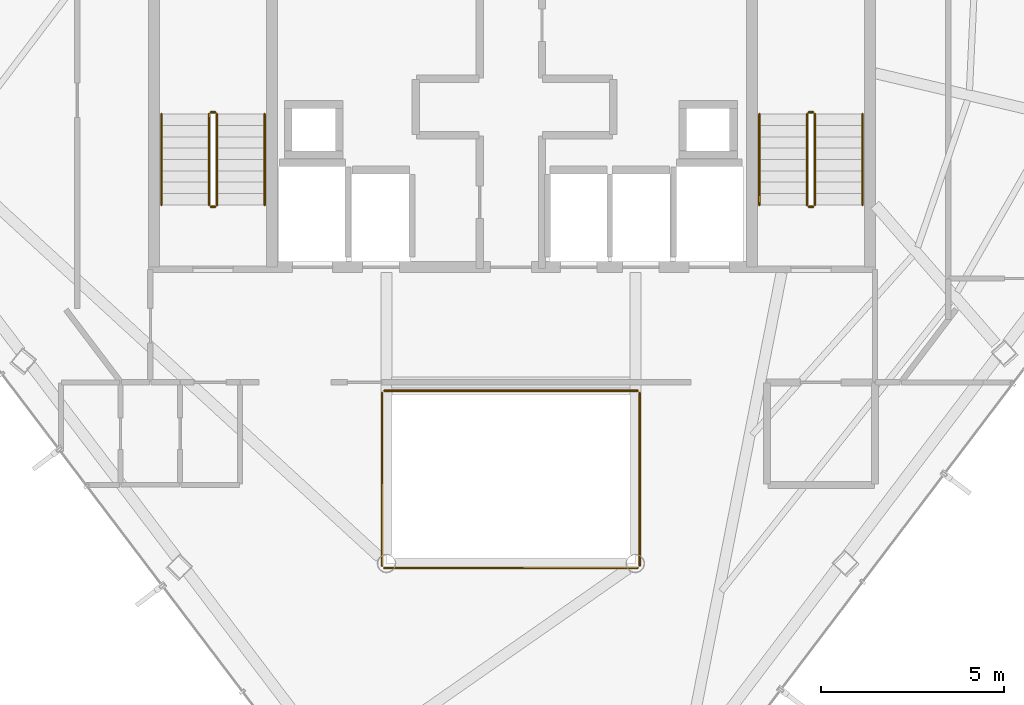
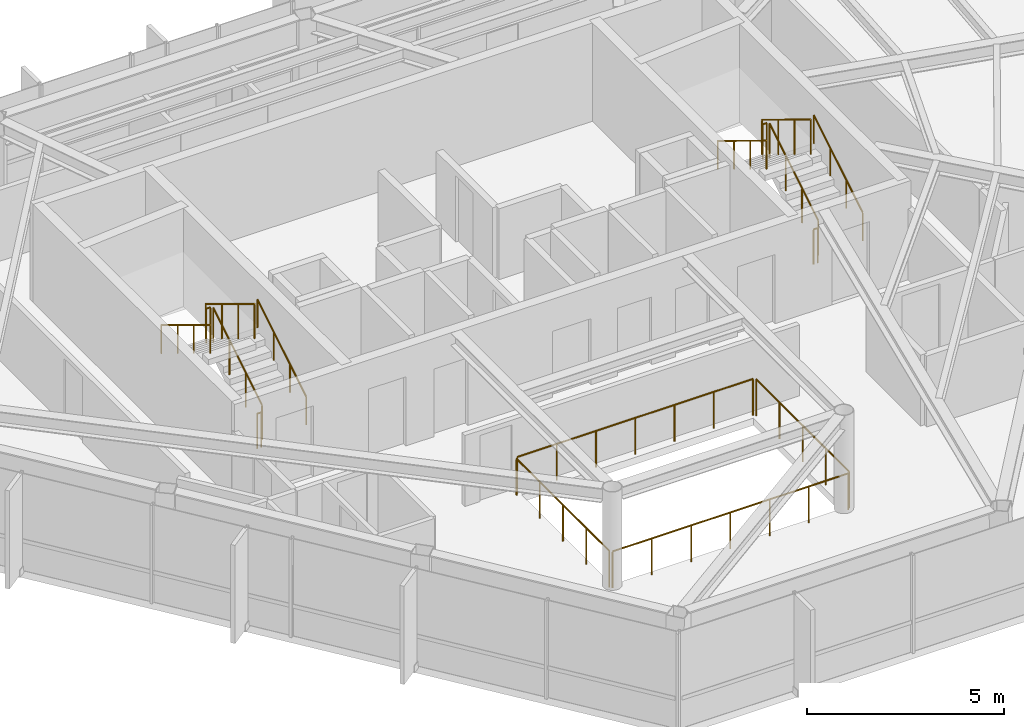
# One storey, part 24 of 24: 16 railings.
"""IFC4 building model written with IfcOpenShell, lengths in metres."""

from ifc_helpers import new_model, si_unit, direction, frame, origin, origin_2d, place, context, subcontext, project, spatial, circle, extrude, material, type_object, element, save


model = new_model("IFC4")

# Units and contexts
model_context = context("Model", 3, precision=1e-05, world=origin(), true_north=direction((0.0, 1.0)))
body_context = subcontext(model_context, "Body", "Model", "MODEL_VIEW")
ifc_project = project(units=[si_unit("LENGTHUNIT", "METRE"), si_unit("AREAUNIT", "SQUARE_METRE"), si_unit("VOLUMEUNIT", "CUBIC_METRE"), si_unit("PLANEANGLEUNIT", "RADIAN"), si_unit("MASSUNIT", "GRAM", prefix="KILO")], contexts=[model_context])

# Site, building, storey
site_placement = place(None, origin())
site = spatial("IfcSite", under=ifc_project, at=site_placement, CompositionType="ELEMENT")
building_placement = place(site_placement, origin())
building = spatial("IfcBuilding", under=site, at=building_placement, Name="Zarrinselat Tower", CompositionType="ELEMENT")
storey_placement = place(building_placement, frame((0.0, 0.0, 249.56005859375)))
storey = spatial("IfcBuildingStorey", under=building, at=storey_placement, Name="L63", CompositionType="ELEMENT", Elevation=249.56005859375)

# Railings
ifc_material_1 = material(Name="Double Low-E Laminated Solar Glass", Category="glass")
railing_type_1 = type_object("IfcRailingType", Name="RLG-ATRIUM-BAL", PredefinedType="BALUSTRADE", material=ifc_material_1)
railing_1_placement = place(storey_placement, frame((34.93994140625, 25.080078125, 0.0)))
element("IfcRailing", 1, at=railing_1_placement, inside=storey, type_object=railing_type_1, Name="L63 Atrium Void Glass Balustrade S", PredefinedType="BALUSTRADE", context=body_context, shape_type="SweptSolid", body=[
    extrude(circle(Radius=0.02392578125, at=origin_2d()), frame((0.0, 0.0, 1.1259765625), z_axis=(1.0, 0.0, 0.0), x_axis=(0.0, 1.0, 0.0)), (0.0, 0.0, 1.0), 6.920166015625),
    extrude(circle(Radius=0.02099609375, at=origin_2d()), origin(), (0.0, 0.0, 1.0), 1.099853515625),
    extrude(circle(Radius=0.02099609375, at=origin_2d()), frame((1.1533203125, 0.0, 0.0)), (0.0, 0.0, 1.0), 1.099853515625),
    extrude(circle(Radius=0.02099609375, at=origin_2d()), frame((2.306640625, 0.0, 0.0)), (0.0, 0.0, 1.0), 1.099853515625),
    extrude(circle(Radius=0.02099609375, at=origin_2d()), frame((3.4599609375, 0.0, 0.0)), (0.0, 0.0, 1.0), 1.099853515625),
    extrude(circle(Radius=0.02099609375, at=origin_2d()), frame((4.613525390625, 0.0, 0.0)), (0.0, 0.0, 1.0), 1.099853515625),
    extrude(circle(Radius=0.02099609375, at=origin_2d()), frame((5.766845703125, 0.0, 0.0)), (0.0, 0.0, 1.0), 1.099853515625),
    extrude(circle(Radius=0.02099609375, at=origin_2d()), frame((6.920166015625, 0.0, 0.0)), (0.0, 0.0, 1.0), 1.099853515625),
])
railing_2_placement = place(storey_placement, frame((41.919921875, 25.139892578125, 0.0)))
element("IfcRailing", 2, at=railing_2_placement, inside=storey, type_object=railing_type_1, Name="L63 Atrium Void Glass Balustrade E", PredefinedType="BALUSTRADE", context=body_context, shape_type="SweptSolid", body=[
    extrude(circle(Radius=0.02392578125, at=origin_2d()), frame((0.0, 0.0, 1.1259765625), z_axis=(0.0, 1.0, 0.0), x_axis=(-1.0, 0.0, 0.0)), (0.0, 0.0, 1.0), 4.72021484375),
    extrude(circle(Radius=0.02099609375, at=origin_2d()), origin(), (0.0, 0.0, 1.0), 1.099853515625),
    extrude(circle(Radius=0.02099609375, at=origin_2d()), frame((0.0, 1.18017578125, 0.0)), (0.0, 0.0, 1.0), 1.099853515625),
    extrude(circle(Radius=0.02099609375, at=origin_2d()), frame((0.0, 2.360107421875, 0.0)), (0.0, 0.0, 1.0), 1.099853515625),
    extrude(circle(Radius=0.02099609375, at=origin_2d()), frame((0.0, 3.5400390625, 0.0)), (0.0, 0.0, 1.0), 1.099853515625),
    extrude(circle(Radius=0.02099609375, at=origin_2d()), frame((0.0, 4.72021484375, 0.0)), (0.0, 0.0, 1.0), 1.099853515625),
])
railing_3_placement = place(storey_placement, frame((41.860107421875, 29.919921875, 0.0)))
element("IfcRailing", 3, at=railing_3_placement, inside=storey, type_object=railing_type_1, Name="L63 Atrium Void Glass Balustrade N", PredefinedType="BALUSTRADE", context=body_context, shape_type="SweptSolid", body=[
    extrude(circle(Radius=0.02392578125, at=origin_2d()), frame((0.0, 0.0, 1.1259765625), z_axis=(-1.0, 0.0, 0.0), x_axis=(0.0, -1.0, 0.0)), (0.0, 0.0, 1.0), 6.920166015625),
    extrude(circle(Radius=0.02099609375, at=origin_2d()), origin(), (0.0, 0.0, 1.0), 1.099853515625),
    extrude(circle(Radius=0.02099609375, at=origin_2d()), frame((-1.1533203125, 0.0, 0.0)), (0.0, 0.0, 1.0), 1.099853515625),
    extrude(circle(Radius=0.02099609375, at=origin_2d()), frame((-2.306640625, 0.0, 0.0)), (0.0, 0.0, 1.0), 1.099853515625),
    extrude(circle(Radius=0.02099609375, at=origin_2d()), frame((-3.4599609375, 0.0, 0.0)), (0.0, 0.0, 1.0), 1.099853515625),
    extrude(circle(Radius=0.02099609375, at=origin_2d()), frame((-4.613525390625, 0.0, 0.0)), (0.0, 0.0, 1.0), 1.099853515625),
    extrude(circle(Radius=0.02099609375, at=origin_2d()), frame((-5.766845703125, 0.0, 0.0)), (0.0, 0.0, 1.0), 1.099853515625),
    extrude(circle(Radius=0.02099609375, at=origin_2d()), frame((-6.920166015625, 0.0, 0.0)), (0.0, 0.0, 1.0), 1.099853515625),
])
railing_4_placement = place(storey_placement, frame((34.8798828125, 29.860107421875, 0.0)))
element("IfcRailing", 4, at=railing_4_placement, inside=storey, type_object=railing_type_1, Name="L63 Atrium Void Glass Balustrade W", PredefinedType="BALUSTRADE", context=body_context, shape_type="SweptSolid", body=[
    extrude(circle(Radius=0.02392578125, at=origin_2d()), frame((0.0, 0.0, 1.1259765625), z_axis=(0.0, -1.0, 0.0), x_axis=(1.0, 0.0, 0.0)), (0.0, 0.0, 1.0), 4.72021484375),
    extrude(circle(Radius=0.02099609375, at=origin_2d()), origin(), (0.0, 0.0, 1.0), 1.099853515625),
    extrude(circle(Radius=0.02099609375, at=origin_2d()), frame((0.0, -1.18017578125, 0.0)), (0.0, 0.0, 1.0), 1.099853515625),
    extrude(circle(Radius=0.02099609375, at=origin_2d()), frame((0.0, -2.360107421875, 0.0)), (0.0, 0.0, 1.0), 1.099853515625),
    extrude(circle(Radius=0.02099609375, at=origin_2d()), frame((0.0, -3.5400390625, 0.0)), (0.0, 0.0, 1.0), 1.099853515625),
    extrude(circle(Radius=0.02099609375, at=origin_2d()), frame((0.0, -4.72021484375, 0.0)), (0.0, 0.0, 1.0), 1.099853515625),
])
ifc_material_2 = material(Name="Steel S355J2", Category="steel")
railing_type_2 = type_object("IfcRailingType", Name="RLG-STAIR-GUARD", PredefinedType="GUARDRAIL", material=ifc_material_2)
railing_5_placement = place(storey_placement, frame((30.3701171875, 35.0, 0.188720703125)))
element("IfcRailing", 5, at=railing_5_placement, inside=storey, type_object=railing_type_2, Name="L63 ST-1 stair guard 1", PredefinedType="GUARDRAIL", context=body_context, shape_type="SweptSolid", body=[
    extrude(circle(Radius=0.02392578125, at=origin_2d()), frame((0.0, 0.0, 1.076171875), z_axis=(0.0, 0.853941963558, 0.520368256982), x_axis=(-1.0, 0.0, 0.0)), (0.0, 0.0, 1.0), 2.904052734375),
    extrude(circle(Radius=0.02099609375, at=origin_2d()), origin(), (0.0, 0.0, 1.0), 1.050048828125),
    extrude(circle(Radius=0.02099609375, at=origin_2d()), frame((0.0, 0.82666015625, 0.503662109375)), (0.0, 0.0, 1.0), 1.050048828125),
    extrude(circle(Radius=0.02099609375, at=origin_2d()), frame((0.0, 1.6533203125, 1.007568359375)), (0.0, 0.0, 1.0), 1.050048828125),
    extrude(circle(Radius=0.02099609375, at=origin_2d()), frame((0.0, 2.47998046875, 1.51123046875)), (0.0, 0.0, 1.0), 1.050048828125),
])
railing_6_placement = place(storey_placement, frame((30.320068359375, 37.530029296875, 1.699951171875)))
element("IfcRailing", 6, at=railing_6_placement, inside=storey, type_object=railing_type_2, Name="L63 ST-1 stair guard 2", PredefinedType="GUARDRAIL", context=body_context, shape_type="SweptSolid", body=[
    extrude(circle(Radius=0.02392578125, at=origin_2d()), frame((0.0, 0.0, 1.076171875), z_axis=(-1.0, 0.0, 0.0), x_axis=(0.0, -1.0, 0.0)), (0.0, 0.0, 1.0), 0.1201171875),
    extrude(circle(Radius=0.02099609375, at=origin_2d()), origin(), (0.0, 0.0, 1.0), 1.050048828125),
    extrude(circle(Radius=0.02099609375, at=origin_2d()), frame((-0.1201171875, 0.0, 0.0)), (0.0, 0.0, 1.0), 1.050048828125),
])
railing_7_placement = place(storey_placement, frame((30.14990234375, 37.47998046875, 1.888916015625)))
element("IfcRailing", 7, at=railing_7_placement, inside=storey, type_object=railing_type_2, Name="L63 ST-1 stair guard 3", PredefinedType="GUARDRAIL", context=body_context, shape_type="SweptSolid", body=[
    extrude(circle(Radius=0.02392578125, at=origin_2d()), frame((0.0, 0.0, 1.076171875), z_axis=(0.0, -0.8539793189, 0.520306950647), x_axis=(1.0, 0.0, 0.0)), (0.0, 0.0, 1.0), 2.904052734375),
    extrude(circle(Radius=0.02099609375, at=origin_2d()), origin(), (0.0, 0.0, 1.0), 1.050048828125),
    extrude(circle(Radius=0.02099609375, at=origin_2d()), frame((0.0, -0.82666015625, 0.503662109375)), (0.0, 0.0, 1.0), 1.050048828125),
    extrude(circle(Radius=0.02099609375, at=origin_2d()), frame((0.0, -1.6533203125, 1.00732421875)), (0.0, 0.0, 1.0), 1.050048828125),
    extrude(circle(Radius=0.02099609375, at=origin_2d()), frame((0.0, -2.47998046875, 1.510986328125)), (0.0, 0.0, 1.0), 1.050048828125),
])
railing_8_placement = place(storey_placement, frame((30.320068359375, 34.949951171875, 0.0)))
element("IfcRailing", 8, at=railing_8_placement, inside=storey, type_object=railing_type_2, Name="L63 ST-1 stair guard 4", PredefinedType="GUARDRAIL", context=body_context, shape_type="SweptSolid", body=[
    extrude(circle(Radius=0.02392578125, at=origin_2d()), frame((0.0, 0.0, 1.076171875), z_axis=(-1.0, 0.0, 0.0), x_axis=(0.0, -1.0, 0.0)), (0.0, 0.0, 1.0), 0.1201171875),
    extrude(circle(Radius=0.02099609375, at=origin_2d()), origin(), (0.0, 0.0, 1.0), 1.050048828125),
    extrude(circle(Radius=0.02099609375, at=origin_2d()), frame((-0.1201171875, 0.0, 0.0)), (0.0, 0.0, 1.0), 1.050048828125),
])
railing_9_placement = place(storey_placement, frame((46.7099609375, 35.0, 0.188720703125)))
element("IfcRailing", 9, at=railing_9_placement, inside=storey, type_object=railing_type_2, Name="L63 ST-2 stair guard 1", PredefinedType="GUARDRAIL", context=body_context, shape_type="SweptSolid", body=[
    extrude(circle(Radius=0.02392578125, at=origin_2d()), frame((0.0, 0.0, 1.076171875), z_axis=(0.0, 0.853941963558, 0.520368256982), x_axis=(-1.0, 0.0, 0.0)), (0.0, 0.0, 1.0), 2.904052734375),
    extrude(circle(Radius=0.02099609375, at=origin_2d()), origin(), (0.0, 0.0, 1.0), 1.050048828125),
    extrude(circle(Radius=0.02099609375, at=origin_2d()), frame((0.0, 0.82666015625, 0.503662109375)), (0.0, 0.0, 1.0), 1.050048828125),
    extrude(circle(Radius=0.02099609375, at=origin_2d()), frame((0.0, 1.6533203125, 1.007568359375)), (0.0, 0.0, 1.0), 1.050048828125),
    extrude(circle(Radius=0.02099609375, at=origin_2d()), frame((0.0, 2.47998046875, 1.51123046875)), (0.0, 0.0, 1.0), 1.050048828125),
])
railing_10_placement = place(storey_placement, frame((46.659912109375, 37.530029296875, 1.699951171875)))
element("IfcRailing", 10, at=railing_10_placement, inside=storey, type_object=railing_type_2, Name="L63 ST-2 stair guard 2", PredefinedType="GUARDRAIL", context=body_context, shape_type="SweptSolid", body=[
    extrude(circle(Radius=0.02392578125, at=origin_2d()), frame((0.0, 0.0, 1.076171875), z_axis=(-1.0, 0.0, 0.0), x_axis=(0.0, -1.0, 0.0)), (0.0, 0.0, 1.0), 0.119873046875),
    extrude(circle(Radius=0.02099609375, at=origin_2d()), origin(), (0.0, 0.0, 1.0), 1.050048828125),
    extrude(circle(Radius=0.02099609375, at=origin_2d()), frame((-0.119873046875, 0.0, 0.0)), (0.0, 0.0, 1.0), 1.050048828125),
])
railing_11_placement = place(storey_placement, frame((46.489990234375, 37.47998046875, 1.888916015625)))
element("IfcRailing", 11, at=railing_11_placement, inside=storey, type_object=railing_type_2, Name="L63 ST-2 stair guard 3", PredefinedType="GUARDRAIL", context=body_context, shape_type="SweptSolid", body=[
    extrude(circle(Radius=0.02392578125, at=origin_2d()), frame((0.0, 0.0, 1.076171875), z_axis=(0.0, -0.8539793189, 0.520306950647), x_axis=(1.0, 0.0, 0.0)), (0.0, 0.0, 1.0), 2.904052734375),
    extrude(circle(Radius=0.02099609375, at=origin_2d()), origin(), (0.0, 0.0, 1.0), 1.050048828125),
    extrude(circle(Radius=0.02099609375, at=origin_2d()), frame((0.0, -0.82666015625, 0.503662109375)), (0.0, 0.0, 1.0), 1.050048828125),
    extrude(circle(Radius=0.02099609375, at=origin_2d()), frame((0.0, -1.6533203125, 1.00732421875)), (0.0, 0.0, 1.0), 1.050048828125),
    extrude(circle(Radius=0.02099609375, at=origin_2d()), frame((0.0, -2.47998046875, 1.510986328125)), (0.0, 0.0, 1.0), 1.050048828125),
])
railing_12_placement = place(storey_placement, frame((46.659912109375, 34.949951171875, 0.0)))
element("IfcRailing", 12, at=railing_12_placement, inside=storey, type_object=railing_type_2, Name="L63 ST-2 stair guard 4", PredefinedType="GUARDRAIL", context=body_context, shape_type="SweptSolid", body=[
    extrude(circle(Radius=0.02392578125, at=origin_2d()), frame((0.0, 0.0, 1.076171875), z_axis=(-1.0, 0.0, 0.0), x_axis=(0.0, -1.0, 0.0)), (0.0, 0.0, 1.0), 0.119873046875),
    extrude(circle(Radius=0.02099609375, at=origin_2d()), origin(), (0.0, 0.0, 1.0), 1.050048828125),
    extrude(circle(Radius=0.02099609375, at=origin_2d()), frame((-0.119873046875, 0.0, 0.0)), (0.0, 0.0, 1.0), 1.050048828125),
])
ifc_material_3 = material(Name="Steel S355J2", Category="steel")
railing_type_3 = type_object("IfcRailingType", Name="RLG-STAIR-HAND", PredefinedType="HANDRAIL", material=ifc_material_3)
railing_13_placement = place(storey_placement, frame((31.669921875, 35.0, 0.188720703125)))
element("IfcRailing", 13, at=railing_13_placement, inside=storey, type_object=railing_type_3, Name="L63 ST-1 stair handrail 1", PredefinedType="HANDRAIL", context=body_context, shape_type="SweptSolid", body=[
    extrude(circle(Radius=0.02392578125, at=origin_2d()), frame((0.0, 0.0, 0.8759765625), z_axis=(0.0, 0.853941963558, 0.520368256982), x_axis=(-1.0, 0.0, 0.0)), (0.0, 0.0, 1.0), 2.904052734375),
    extrude(circle(Radius=0.02099609375, at=origin_2d()), origin(), (0.0, 0.0, 1.0), 0.849853515625),
    extrude(circle(Radius=0.02099609375, at=origin_2d()), frame((0.0, 0.82666015625, 0.503662109375)), (0.0, 0.0, 1.0), 0.849853515625),
    extrude(circle(Radius=0.02099609375, at=origin_2d()), frame((0.0, 1.6533203125, 1.007568359375)), (0.0, 0.0, 1.0), 0.849853515625),
    extrude(circle(Radius=0.02099609375, at=origin_2d()), frame((0.0, 2.47998046875, 1.51123046875)), (0.0, 0.0, 1.0), 0.849853515625),
])
railing_14_placement = place(storey_placement, frame((28.85009765625, 37.47998046875, 1.888916015625)))
element("IfcRailing", 14, at=railing_14_placement, inside=storey, type_object=railing_type_3, Name="L63 ST-1 stair handrail 2", PredefinedType="HANDRAIL", context=body_context, shape_type="SweptSolid", body=[
    extrude(circle(Radius=0.02392578125, at=origin_2d()), frame((0.0, 0.0, 0.8759765625), z_axis=(0.0, -0.8539793189, 0.520306950647), x_axis=(1.0, 0.0, 0.0)), (0.0, 0.0, 1.0), 2.904052734375),
    extrude(circle(Radius=0.02099609375, at=origin_2d()), origin(), (0.0, 0.0, 1.0), 0.849853515625),
    extrude(circle(Radius=0.02099609375, at=origin_2d()), frame((0.0, -0.82666015625, 0.503662109375)), (0.0, 0.0, 1.0), 0.849853515625),
    extrude(circle(Radius=0.02099609375, at=origin_2d()), frame((0.0, -1.6533203125, 1.00732421875)), (0.0, 0.0, 1.0), 0.849853515625),
    extrude(circle(Radius=0.02099609375, at=origin_2d()), frame((0.0, -2.47998046875, 1.510986328125)), (0.0, 0.0, 1.0), 0.849853515625),
])
railing_15_placement = place(storey_placement, frame((48.010009765625, 35.0, 0.188720703125)))
element("IfcRailing", 15, at=railing_15_placement, inside=storey, type_object=railing_type_3, Name="L63 ST-2 stair handrail 1", PredefinedType="HANDRAIL", context=body_context, shape_type="SweptSolid", body=[
    extrude(circle(Radius=0.02392578125, at=origin_2d()), frame((0.0, 0.0, 0.8759765625), z_axis=(0.0, 0.853941963558, 0.520368256982), x_axis=(-1.0, 0.0, 0.0)), (0.0, 0.0, 1.0), 2.904052734375),
    extrude(circle(Radius=0.02099609375, at=origin_2d()), origin(), (0.0, 0.0, 1.0), 0.849853515625),
    extrude(circle(Radius=0.02099609375, at=origin_2d()), frame((0.0, 0.82666015625, 0.503662109375)), (0.0, 0.0, 1.0), 0.849853515625),
    extrude(circle(Radius=0.02099609375, at=origin_2d()), frame((0.0, 1.6533203125, 1.007568359375)), (0.0, 0.0, 1.0), 0.849853515625),
    extrude(circle(Radius=0.02099609375, at=origin_2d()), frame((0.0, 2.47998046875, 1.51123046875)), (0.0, 0.0, 1.0), 0.849853515625),
])
railing_16_placement = place(storey_placement, frame((45.18994140625, 37.47998046875, 1.888916015625)))
element("IfcRailing", 16, at=railing_16_placement, inside=storey, type_object=railing_type_3, Name="L63 ST-2 stair handrail 2", PredefinedType="HANDRAIL", context=body_context, shape_type="SweptSolid", body=[
    extrude(circle(Radius=0.02392578125, at=origin_2d()), frame((0.0, 0.0, 0.8759765625), z_axis=(0.0, -0.8539793189, 0.520306950647), x_axis=(1.0, 0.0, 0.0)), (0.0, 0.0, 1.0), 2.904052734375),
    extrude(circle(Radius=0.02099609375, at=origin_2d()), origin(), (0.0, 0.0, 1.0), 0.849853515625),
    extrude(circle(Radius=0.02099609375, at=origin_2d()), frame((0.0, -0.82666015625, 0.503662109375)), (0.0, 0.0, 1.0), 0.849853515625),
    extrude(circle(Radius=0.02099609375, at=origin_2d()), frame((0.0, -1.6533203125, 1.00732421875)), (0.0, 0.0, 1.0), 0.849853515625),
    extrude(circle(Radius=0.02099609375, at=origin_2d()), frame((0.0, -2.47998046875, 1.510986328125)), (0.0, 0.0, 1.0), 0.849853515625),
])

save(model, "model.ifc")
